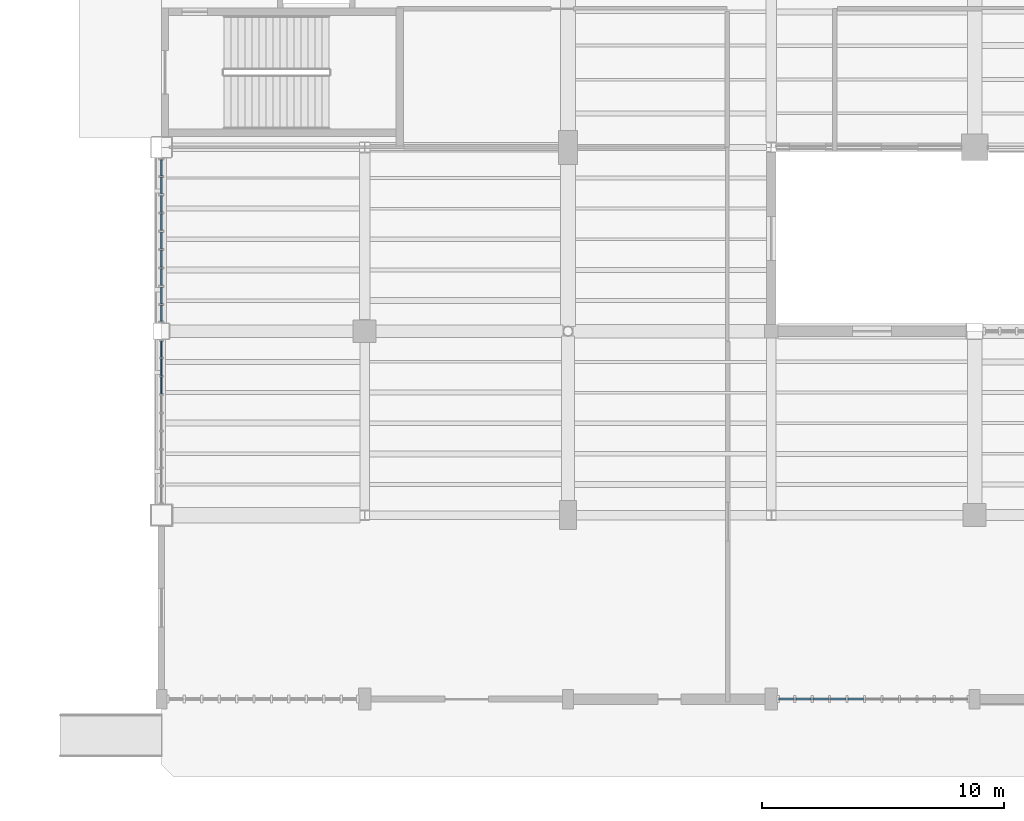
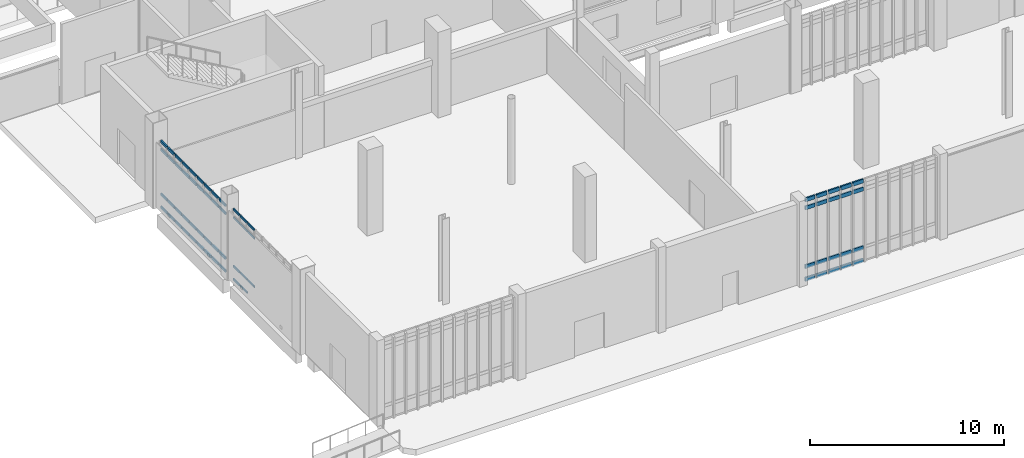
# One storey, part 36 of 111: 67 members, 3 elements without a shape of their own.
"""IFC4 building model written with IfcOpenShell, lengths in metres."""

from ifc_helpers import new_model, si_unit, direction, frame, origin, origin_2d, place, context, subcontext, project, spatial, rectangle, extrude, material, material_profile, profile_set, type_object, element, aggregate, save


model = new_model("IFC4")

# Units and contexts
model_context = context("Model", 3, precision=1e-05, world=origin(), true_north=direction((0.0, 1.0)))
body_context = subcontext(model_context, "Body", "Model", "MODEL_VIEW")
ifc_project = project(units=[si_unit("LENGTHUNIT", "METRE"), si_unit("AREAUNIT", "SQUARE_METRE"), si_unit("VOLUMEUNIT", "CUBIC_METRE"), si_unit("PLANEANGLEUNIT", "RADIAN"), si_unit("MASSUNIT", "GRAM", prefix="KILO")], contexts=[model_context])

# Site, building, storey
site_placement = place(None, origin())
site = spatial("IfcSite", under=ifc_project, at=site_placement, CompositionType="ELEMENT")
building_placement = place(site_placement, origin())
building = spatial("IfcBuilding", under=site, at=building_placement, Name="Larkvane Passage Sports Hall", CompositionType="ELEMENT")
storey_placement = place(building_placement, origin())
storey = spatial("IfcBuildingStorey", under=building, at=storey_placement, Name="L00", CompositionType="ELEMENT", Elevation=0.0)

# Curtain wall, members
ifc_material_1 = material(Name="Thermally broken aluminium and low-E glazing", Category="aluminium")
curtain_wall_type_1 = type_object("IfcCurtainWallType", Name="CW-UNIT-COURT", PredefinedType="USERDEFINED", material=ifc_material_1)
curtain_wall_1_placement = place(storey_placement, origin())
curtain_wall_1 = element("IfcCurtainWall", 1, at=curtain_wall_1_placement, inside=storey, type_object=curtain_wall_type_1, Name="Curtain wall CW5-L00-004", ObjectType="UNITISED CURTAIN WALL", PredefinedType="USERDEFINED")
ifc_material_2 = material(Name="Anodised aluminium 6063-T6", Category="aluminium")
ifc_material_profile_1 = material_profile(ifc_material_2, rectangle(XDim=0.06005859375, YDim=0.1201171875, at=origin_2d()), Name="ALU-TRN-60x120")
ifc_profile_set_1 = profile_set([ifc_material_profile_1], Name="Anodised aluminium 6063-T6")
member_type_1 = type_object("IfcMemberType", Name="CW-TRN-60x120", PredefinedType="USERDEFINED", material=ifc_profile_set_1)
member_1_placement = place(storey_placement, frame((34.800048828125, 12.61474609375, 0.85009765625), z_axis=(0.0, 1.0, 0.0), x_axis=(-1.0, 0.0, 0.0)))
member_1 = element("IfcMember", 2, at=member_1_placement, type_object=member_type_1, Name="CW-01 transom 7.2", ObjectType="TRANSOM", PredefinedType="USERDEFINED", context=body_context, shape_type="SweptSolid", body=[
    extrude(rectangle(XDim=0.06005859375, YDim=0.1201171875, at=origin_2d()), origin(), (0.0, 0.0, 1.0), 0.6962890625),
])
member_2_placement = place(storey_placement, frame((34.800048828125, 12.61474609375, 3.91796875), z_axis=(0.0, 1.0, 0.0), x_axis=(-1.0, 0.0, 0.0)))
member_2 = element("IfcMember", 3, at=member_2_placement, type_object=member_type_1, Name="CW-01 transom 7.3", ObjectType="TRANSOM", PredefinedType="USERDEFINED", context=body_context, shape_type="SweptSolid", body=[
    extrude(rectangle(XDim=0.06005859375, YDim=0.1201171875, at=origin_2d()), origin(), (0.0, 0.0, 1.0), 0.6962890625),
])
member_3_placement = place(storey_placement, frame((34.800048828125, 12.61474609375, 4.43798828125), z_axis=(0.0, 1.0, 0.0), x_axis=(-1.0, 0.0, 0.0)))
member_3 = element("IfcMember", 4, at=member_3_placement, type_object=member_type_1, Name="CW-01 transom 7.4", ObjectType="TRANSOM", PredefinedType="USERDEFINED", context=body_context, shape_type="SweptSolid", body=[
    extrude(rectangle(XDim=0.06005859375, YDim=0.1201171875, at=origin_2d()), origin(), (0.0, 0.0, 1.0), 0.6962890625),
])
member_4_placement = place(storey_placement, frame((34.800048828125, 13.37109375, 0.030029296875), z_axis=(0.0, 1.0, 0.0), x_axis=(-1.0, 0.0, 0.0)))
member_4 = element("IfcMember", 5, at=member_4_placement, type_object=member_type_1, Name="CW-01 transom 8.1", ObjectType="TRANSOM", PredefinedType="USERDEFINED", context=body_context, shape_type="SweptSolid", body=[
    extrude(rectangle(XDim=0.06005859375, YDim=0.1201171875, at=origin_2d()), origin(), (0.0, 0.0, 1.0), 0.696533203125),
])
member_5_placement = place(storey_placement, frame((34.800048828125, 13.37109375, 0.85009765625), z_axis=(0.0, 1.0, 0.0), x_axis=(-1.0, 0.0, 0.0)))
member_5 = element("IfcMember", 6, at=member_5_placement, type_object=member_type_1, Name="CW-01 transom 8.2", ObjectType="TRANSOM", PredefinedType="USERDEFINED", context=body_context, shape_type="SweptSolid", body=[
    extrude(rectangle(XDim=0.06005859375, YDim=0.1201171875, at=origin_2d()), origin(), (0.0, 0.0, 1.0), 0.696533203125),
])
member_6_placement = place(storey_placement, frame((34.800048828125, 13.37109375, 3.91796875), z_axis=(0.0, 1.0, 0.0), x_axis=(-1.0, 0.0, 0.0)))
member_6 = element("IfcMember", 7, at=member_6_placement, type_object=member_type_1, Name="CW-01 transom 8.3", ObjectType="TRANSOM", PredefinedType="USERDEFINED", context=body_context, shape_type="SweptSolid", body=[
    extrude(rectangle(XDim=0.06005859375, YDim=0.1201171875, at=origin_2d()), origin(), (0.0, 0.0, 1.0), 0.696533203125),
])
member_7_placement = place(storey_placement, frame((34.800048828125, 13.37109375, 4.43798828125), z_axis=(0.0, 1.0, 0.0), x_axis=(-1.0, 0.0, 0.0)))
member_7 = element("IfcMember", 8, at=member_7_placement, type_object=member_type_1, Name="CW-01 transom 8.4", ObjectType="TRANSOM", PredefinedType="USERDEFINED", context=body_context, shape_type="SweptSolid", body=[
    extrude(rectangle(XDim=0.06005859375, YDim=0.1201171875, at=origin_2d()), origin(), (0.0, 0.0, 1.0), 0.696533203125),
])
member_8_placement = place(storey_placement, frame((34.800048828125, 14.12744140625, 0.030029296875), z_axis=(0.0, 1.0, 0.0), x_axis=(-1.0, 0.0, 0.0)))
member_8 = element("IfcMember", 9, at=member_8_placement, type_object=member_type_1, Name="CW-01 transom 9.1", ObjectType="TRANSOM", PredefinedType="USERDEFINED", context=body_context, shape_type="SweptSolid", body=[
    extrude(rectangle(XDim=0.06005859375, YDim=0.1201171875, at=origin_2d()), origin(), (0.0, 0.0, 1.0), 0.66650390625),
])
member_9_placement = place(storey_placement, frame((34.800048828125, 14.12744140625, 0.85009765625), z_axis=(0.0, 1.0, 0.0), x_axis=(-1.0, 0.0, 0.0)))
member_9 = element("IfcMember", 10, at=member_9_placement, type_object=member_type_1, Name="CW-01 transom 9.2", ObjectType="TRANSOM", PredefinedType="USERDEFINED", context=body_context, shape_type="SweptSolid", body=[
    extrude(rectangle(XDim=0.06005859375, YDim=0.1201171875, at=origin_2d()), origin(), (0.0, 0.0, 1.0), 0.66650390625),
])
member_10_placement = place(storey_placement, frame((34.800048828125, 14.12744140625, 3.91796875), z_axis=(0.0, 1.0, 0.0), x_axis=(-1.0, 0.0, 0.0)))
member_10 = element("IfcMember", 11, at=member_10_placement, type_object=member_type_1, Name="CW-01 transom 9.3", ObjectType="TRANSOM", PredefinedType="USERDEFINED", context=body_context, shape_type="SweptSolid", body=[
    extrude(rectangle(XDim=0.06005859375, YDim=0.1201171875, at=origin_2d()), origin(), (0.0, 0.0, 1.0), 0.66650390625),
])
member_11_placement = place(storey_placement, frame((34.800048828125, 14.12744140625, 4.43798828125), z_axis=(0.0, 1.0, 0.0), x_axis=(-1.0, 0.0, 0.0)))
member_11 = element("IfcMember", 12, at=member_11_placement, type_object=member_type_1, Name="CW-01 transom 9.4", ObjectType="TRANSOM", PredefinedType="USERDEFINED", context=body_context, shape_type="SweptSolid", body=[
    extrude(rectangle(XDim=0.06005859375, YDim=0.1201171875, at=origin_2d()), origin(), (0.0, 0.0, 1.0), 0.66650390625),
])
aggregate(curtain_wall_1, [member_1, member_2, member_3, member_4, member_5, member_6, member_7, member_8, member_9, member_10, member_11])

curtain_wall_type_2 = type_object("IfcCurtainWallType", Name="CW-UNIT-VEIL", PredefinedType="USERDEFINED", material=ifc_material_1)
curtain_wall_2_placement = place(storey_placement, origin())
curtain_wall_2 = element("IfcCurtainWall", 13, at=curtain_wall_2_placement, inside=storey, type_object=curtain_wall_type_2, Name="Curtain wall CW5-L00-005", ObjectType="UNITISED CURTAIN WALL", PredefinedType="USERDEFINED")
ifc_material_profile_2 = material_profile(ifc_material_2, rectangle(XDim=0.070068359375, YDim=0.159912109375, at=origin_2d()), Name="ALU-TRN-70x160")
ifc_profile_set_2 = profile_set([ifc_material_profile_2], Name="Anodised aluminium 6063-T6")
member_type_2 = type_object("IfcMemberType", Name="CW-TRN-70x160", PredefinedType="USERDEFINED", material=ifc_profile_set_2)
member_12_placement = place(storey_placement, frame((34.800048828125, 15.615966796875, 0.034912109375), z_axis=(0.0, 1.0, 0.0), x_axis=(-1.0, 0.0, 0.0)))
member_12 = element("IfcMember", 14, at=member_12_placement, type_object=member_type_2, Name="CW-02 transom 1.1", ObjectType="TRANSOM", PredefinedType="USERDEFINED", context=body_context, shape_type="SweptSolid", body=[
    extrude(rectangle(XDim=0.070068359375, YDim=0.159912109375, at=origin_2d()), origin(), (0.0, 0.0, 1.0), 0.6513671875),
])
member_13_placement = place(storey_placement, frame((34.800048828125, 15.615966796875, 0.85009765625), z_axis=(0.0, 1.0, 0.0), x_axis=(-1.0, 0.0, 0.0)))
member_13 = element("IfcMember", 15, at=member_13_placement, type_object=member_type_2, Name="CW-02 transom 1.2", ObjectType="TRANSOM", PredefinedType="USERDEFINED", context=body_context, shape_type="SweptSolid", body=[
    extrude(rectangle(XDim=0.070068359375, YDim=0.159912109375, at=origin_2d()), origin(), (0.0, 0.0, 1.0), 0.6513671875),
])
member_14_placement = place(storey_placement, frame((34.800048828125, 15.615966796875, 3.66796875), z_axis=(0.0, 1.0, 0.0), x_axis=(-1.0, 0.0, 0.0)))
member_14 = element("IfcMember", 16, at=member_14_placement, type_object=member_type_2, Name="CW-02 transom 1.3", ObjectType="TRANSOM", PredefinedType="USERDEFINED", context=body_context, shape_type="SweptSolid", body=[
    extrude(rectangle(XDim=0.070068359375, YDim=0.159912109375, at=origin_2d()), origin(), (0.0, 0.0, 1.0), 0.6513671875),
])
member_15_placement = place(storey_placement, frame((34.800048828125, 15.615966796875, 4.18310546875), z_axis=(0.0, 1.0, 0.0), x_axis=(-1.0, 0.0, 0.0)))
member_15 = element("IfcMember", 17, at=member_15_placement, type_object=member_type_2, Name="CW-02 transom 1.4", ObjectType="TRANSOM", PredefinedType="USERDEFINED", context=body_context, shape_type="SweptSolid", body=[
    extrude(rectangle(XDim=0.070068359375, YDim=0.159912109375, at=origin_2d()), origin(), (0.0, 0.0, 1.0), 0.6513671875),
])
member_16_placement = place(storey_placement, frame((34.800048828125, 16.33740234375, 0.034912109375), z_axis=(0.0, 1.0, 0.0), x_axis=(-1.0, 0.0, 0.0)))
member_16 = element("IfcMember", 18, at=member_16_placement, type_object=member_type_2, Name="CW-02 transom 2.1", ObjectType="TRANSOM", PredefinedType="USERDEFINED", context=body_context, shape_type="SweptSolid", body=[
    extrude(rectangle(XDim=0.070068359375, YDim=0.159912109375, at=origin_2d()), origin(), (0.0, 0.0, 1.0), 0.6865234375),
])
member_17_placement = place(storey_placement, frame((34.800048828125, 16.33740234375, 0.85009765625), z_axis=(0.0, 1.0, 0.0), x_axis=(-1.0, 0.0, 0.0)))
member_17 = element("IfcMember", 19, at=member_17_placement, type_object=member_type_2, Name="CW-02 transom 2.2", ObjectType="TRANSOM", PredefinedType="USERDEFINED", context=body_context, shape_type="SweptSolid", body=[
    extrude(rectangle(XDim=0.070068359375, YDim=0.159912109375, at=origin_2d()), origin(), (0.0, 0.0, 1.0), 0.6865234375),
])
member_18_placement = place(storey_placement, frame((34.800048828125, 16.33740234375, 3.66796875), z_axis=(0.0, 1.0, 0.0), x_axis=(-1.0, 0.0, 0.0)))
member_18 = element("IfcMember", 20, at=member_18_placement, type_object=member_type_2, Name="CW-02 transom 2.3", ObjectType="TRANSOM", PredefinedType="USERDEFINED", context=body_context, shape_type="SweptSolid", body=[
    extrude(rectangle(XDim=0.070068359375, YDim=0.159912109375, at=origin_2d()), origin(), (0.0, 0.0, 1.0), 0.6865234375),
])
member_19_placement = place(storey_placement, frame((34.800048828125, 16.33740234375, 4.18310546875), z_axis=(0.0, 1.0, 0.0), x_axis=(-1.0, 0.0, 0.0)))
member_19 = element("IfcMember", 21, at=member_19_placement, type_object=member_type_2, Name="CW-02 transom 2.4", ObjectType="TRANSOM", PredefinedType="USERDEFINED", context=body_context, shape_type="SweptSolid", body=[
    extrude(rectangle(XDim=0.070068359375, YDim=0.159912109375, at=origin_2d()), origin(), (0.0, 0.0, 1.0), 0.6865234375),
])
member_20_placement = place(storey_placement, frame((34.800048828125, 17.093994140625, 0.034912109375), z_axis=(0.0, 1.0, 0.0), x_axis=(-1.0, 0.0, 0.0)))
member_20 = element("IfcMember", 22, at=member_20_placement, type_object=member_type_2, Name="CW-02 transom 3.1", ObjectType="TRANSOM", PredefinedType="USERDEFINED", context=body_context, shape_type="SweptSolid", body=[
    extrude(rectangle(XDim=0.070068359375, YDim=0.159912109375, at=origin_2d()), origin(), (0.0, 0.0, 1.0), 0.686279296875),
])
member_21_placement = place(storey_placement, frame((34.800048828125, 17.093994140625, 0.85009765625), z_axis=(0.0, 1.0, 0.0), x_axis=(-1.0, 0.0, 0.0)))
member_21 = element("IfcMember", 23, at=member_21_placement, type_object=member_type_2, Name="CW-02 transom 3.2", ObjectType="TRANSOM", PredefinedType="USERDEFINED", context=body_context, shape_type="SweptSolid", body=[
    extrude(rectangle(XDim=0.070068359375, YDim=0.159912109375, at=origin_2d()), origin(), (0.0, 0.0, 1.0), 0.686279296875),
])
member_22_placement = place(storey_placement, frame((34.800048828125, 17.093994140625, 3.66796875), z_axis=(0.0, 1.0, 0.0), x_axis=(-1.0, 0.0, 0.0)))
member_22 = element("IfcMember", 24, at=member_22_placement, type_object=member_type_2, Name="CW-02 transom 3.3", ObjectType="TRANSOM", PredefinedType="USERDEFINED", context=body_context, shape_type="SweptSolid", body=[
    extrude(rectangle(XDim=0.070068359375, YDim=0.159912109375, at=origin_2d()), origin(), (0.0, 0.0, 1.0), 0.686279296875),
])
member_23_placement = place(storey_placement, frame((34.800048828125, 17.093994140625, 4.18310546875), z_axis=(0.0, 1.0, 0.0), x_axis=(-1.0, 0.0, 0.0)))
member_23 = element("IfcMember", 25, at=member_23_placement, type_object=member_type_2, Name="CW-02 transom 3.4", ObjectType="TRANSOM", PredefinedType="USERDEFINED", context=body_context, shape_type="SweptSolid", body=[
    extrude(rectangle(XDim=0.070068359375, YDim=0.159912109375, at=origin_2d()), origin(), (0.0, 0.0, 1.0), 0.686279296875),
])
member_24_placement = place(storey_placement, frame((34.800048828125, 17.850341796875, 0.034912109375), z_axis=(0.0, 1.0, 0.0), x_axis=(-1.0, 0.0, 0.0)))
member_24 = element("IfcMember", 26, at=member_24_placement, type_object=member_type_2, Name="CW-02 transom 4.1", ObjectType="TRANSOM", PredefinedType="USERDEFINED", context=body_context, shape_type="SweptSolid", body=[
    extrude(rectangle(XDim=0.070068359375, YDim=0.159912109375, at=origin_2d()), origin(), (0.0, 0.0, 1.0), 0.6865234375),
])
member_25_placement = place(storey_placement, frame((34.800048828125, 17.850341796875, 0.85009765625), z_axis=(0.0, 1.0, 0.0), x_axis=(-1.0, 0.0, 0.0)))
member_25 = element("IfcMember", 27, at=member_25_placement, type_object=member_type_2, Name="CW-02 transom 4.2", ObjectType="TRANSOM", PredefinedType="USERDEFINED", context=body_context, shape_type="SweptSolid", body=[
    extrude(rectangle(XDim=0.070068359375, YDim=0.159912109375, at=origin_2d()), origin(), (0.0, 0.0, 1.0), 0.6865234375),
])
member_26_placement = place(storey_placement, frame((34.800048828125, 17.850341796875, 3.66796875), z_axis=(0.0, 1.0, 0.0), x_axis=(-1.0, 0.0, 0.0)))
member_26 = element("IfcMember", 28, at=member_26_placement, type_object=member_type_2, Name="CW-02 transom 4.3", ObjectType="TRANSOM", PredefinedType="USERDEFINED", context=body_context, shape_type="SweptSolid", body=[
    extrude(rectangle(XDim=0.070068359375, YDim=0.159912109375, at=origin_2d()), origin(), (0.0, 0.0, 1.0), 0.6865234375),
])
member_27_placement = place(storey_placement, frame((34.800048828125, 17.850341796875, 4.18310546875), z_axis=(0.0, 1.0, 0.0), x_axis=(-1.0, 0.0, 0.0)))
member_27 = element("IfcMember", 29, at=member_27_placement, type_object=member_type_2, Name="CW-02 transom 4.4", ObjectType="TRANSOM", PredefinedType="USERDEFINED", context=body_context, shape_type="SweptSolid", body=[
    extrude(rectangle(XDim=0.070068359375, YDim=0.159912109375, at=origin_2d()), origin(), (0.0, 0.0, 1.0), 0.6865234375),
])
member_28_placement = place(storey_placement, frame((34.800048828125, 18.606689453125, 0.034912109375), z_axis=(0.0, 1.0, 0.0), x_axis=(-1.0, 0.0, 0.0)))
member_28 = element("IfcMember", 30, at=member_28_placement, type_object=member_type_2, Name="CW-02 transom 5.1", ObjectType="TRANSOM", PredefinedType="USERDEFINED", context=body_context, shape_type="SweptSolid", body=[
    extrude(rectangle(XDim=0.070068359375, YDim=0.159912109375, at=origin_2d()), origin(), (0.0, 0.0, 1.0), 0.6865234375),
])
member_29_placement = place(storey_placement, frame((34.800048828125, 18.606689453125, 0.85009765625), z_axis=(0.0, 1.0, 0.0), x_axis=(-1.0, 0.0, 0.0)))
member_29 = element("IfcMember", 31, at=member_29_placement, type_object=member_type_2, Name="CW-02 transom 5.2", ObjectType="TRANSOM", PredefinedType="USERDEFINED", context=body_context, shape_type="SweptSolid", body=[
    extrude(rectangle(XDim=0.070068359375, YDim=0.159912109375, at=origin_2d()), origin(), (0.0, 0.0, 1.0), 0.6865234375),
])
member_30_placement = place(storey_placement, frame((34.800048828125, 18.606689453125, 3.66796875), z_axis=(0.0, 1.0, 0.0), x_axis=(-1.0, 0.0, 0.0)))
member_30 = element("IfcMember", 32, at=member_30_placement, type_object=member_type_2, Name="CW-02 transom 5.3", ObjectType="TRANSOM", PredefinedType="USERDEFINED", context=body_context, shape_type="SweptSolid", body=[
    extrude(rectangle(XDim=0.070068359375, YDim=0.159912109375, at=origin_2d()), origin(), (0.0, 0.0, 1.0), 0.6865234375),
])
member_31_placement = place(storey_placement, frame((34.800048828125, 18.606689453125, 4.18310546875), z_axis=(0.0, 1.0, 0.0), x_axis=(-1.0, 0.0, 0.0)))
member_31 = element("IfcMember", 33, at=member_31_placement, type_object=member_type_2, Name="CW-02 transom 5.4", ObjectType="TRANSOM", PredefinedType="USERDEFINED", context=body_context, shape_type="SweptSolid", body=[
    extrude(rectangle(XDim=0.070068359375, YDim=0.159912109375, at=origin_2d()), origin(), (0.0, 0.0, 1.0), 0.6865234375),
])
member_32_placement = place(storey_placement, frame((34.800048828125, 19.36328125, 0.034912109375), z_axis=(0.0, 1.0, 0.0), x_axis=(-1.0, 0.0, 0.0)))
member_32 = element("IfcMember", 34, at=member_32_placement, type_object=member_type_2, Name="CW-02 transom 6.1", ObjectType="TRANSOM", PredefinedType="USERDEFINED", context=body_context, shape_type="SweptSolid", body=[
    extrude(rectangle(XDim=0.070068359375, YDim=0.159912109375, at=origin_2d()), origin(), (0.0, 0.0, 1.0), 0.686279296875),
])
member_33_placement = place(storey_placement, frame((34.800048828125, 19.36328125, 0.85009765625), z_axis=(0.0, 1.0, 0.0), x_axis=(-1.0, 0.0, 0.0)))
member_33 = element("IfcMember", 35, at=member_33_placement, type_object=member_type_2, Name="CW-02 transom 6.2", ObjectType="TRANSOM", PredefinedType="USERDEFINED", context=body_context, shape_type="SweptSolid", body=[
    extrude(rectangle(XDim=0.070068359375, YDim=0.159912109375, at=origin_2d()), origin(), (0.0, 0.0, 1.0), 0.686279296875),
])
member_34_placement = place(storey_placement, frame((34.800048828125, 19.36328125, 3.66796875), z_axis=(0.0, 1.0, 0.0), x_axis=(-1.0, 0.0, 0.0)))
member_34 = element("IfcMember", 36, at=member_34_placement, type_object=member_type_2, Name="CW-02 transom 6.3", ObjectType="TRANSOM", PredefinedType="USERDEFINED", context=body_context, shape_type="SweptSolid", body=[
    extrude(rectangle(XDim=0.070068359375, YDim=0.159912109375, at=origin_2d()), origin(), (0.0, 0.0, 1.0), 0.686279296875),
])
member_35_placement = place(storey_placement, frame((34.800048828125, 19.36328125, 4.18310546875), z_axis=(0.0, 1.0, 0.0), x_axis=(-1.0, 0.0, 0.0)))
member_35 = element("IfcMember", 37, at=member_35_placement, type_object=member_type_2, Name="CW-02 transom 6.4", ObjectType="TRANSOM", PredefinedType="USERDEFINED", context=body_context, shape_type="SweptSolid", body=[
    extrude(rectangle(XDim=0.070068359375, YDim=0.159912109375, at=origin_2d()), origin(), (0.0, 0.0, 1.0), 0.686279296875),
])
member_36_placement = place(storey_placement, frame((34.800048828125, 20.11962890625, 0.034912109375), z_axis=(0.0, 1.0, 0.0), x_axis=(-1.0, 0.0, 0.0)))
member_36 = element("IfcMember", 38, at=member_36_placement, type_object=member_type_2, Name="CW-02 transom 7.1", ObjectType="TRANSOM", PredefinedType="USERDEFINED", context=body_context, shape_type="SweptSolid", body=[
    extrude(rectangle(XDim=0.070068359375, YDim=0.159912109375, at=origin_2d()), origin(), (0.0, 0.0, 1.0), 0.6865234375),
])
member_37_placement = place(storey_placement, frame((34.800048828125, 20.11962890625, 0.85009765625), z_axis=(0.0, 1.0, 0.0), x_axis=(-1.0, 0.0, 0.0)))
member_37 = element("IfcMember", 39, at=member_37_placement, type_object=member_type_2, Name="CW-02 transom 7.2", ObjectType="TRANSOM", PredefinedType="USERDEFINED", context=body_context, shape_type="SweptSolid", body=[
    extrude(rectangle(XDim=0.070068359375, YDim=0.159912109375, at=origin_2d()), origin(), (0.0, 0.0, 1.0), 0.6865234375),
])
member_38_placement = place(storey_placement, frame((34.800048828125, 20.11962890625, 3.66796875), z_axis=(0.0, 1.0, 0.0), x_axis=(-1.0, 0.0, 0.0)))
member_38 = element("IfcMember", 40, at=member_38_placement, type_object=member_type_2, Name="CW-02 transom 7.3", ObjectType="TRANSOM", PredefinedType="USERDEFINED", context=body_context, shape_type="SweptSolid", body=[
    extrude(rectangle(XDim=0.070068359375, YDim=0.159912109375, at=origin_2d()), origin(), (0.0, 0.0, 1.0), 0.6865234375),
])
member_39_placement = place(storey_placement, frame((34.800048828125, 20.11962890625, 4.18310546875), z_axis=(0.0, 1.0, 0.0), x_axis=(-1.0, 0.0, 0.0)))
member_39 = element("IfcMember", 41, at=member_39_placement, type_object=member_type_2, Name="CW-02 transom 7.4", ObjectType="TRANSOM", PredefinedType="USERDEFINED", context=body_context, shape_type="SweptSolid", body=[
    extrude(rectangle(XDim=0.070068359375, YDim=0.159912109375, at=origin_2d()), origin(), (0.0, 0.0, 1.0), 0.6865234375),
])
member_40_placement = place(storey_placement, frame((34.800048828125, 20.876220703125, 0.034912109375), z_axis=(0.0, 1.0, 0.0), x_axis=(-1.0, 0.0, 0.0)))
member_40 = element("IfcMember", 42, at=member_40_placement, type_object=member_type_2, Name="CW-02 transom 8.1", ObjectType="TRANSOM", PredefinedType="USERDEFINED", context=body_context, shape_type="SweptSolid", body=[
    extrude(rectangle(XDim=0.070068359375, YDim=0.159912109375, at=origin_2d()), origin(), (0.0, 0.0, 1.0), 0.686279296875),
])
member_41_placement = place(storey_placement, frame((34.800048828125, 20.876220703125, 0.85009765625), z_axis=(0.0, 1.0, 0.0), x_axis=(-1.0, 0.0, 0.0)))
member_41 = element("IfcMember", 43, at=member_41_placement, type_object=member_type_2, Name="CW-02 transom 8.2", ObjectType="TRANSOM", PredefinedType="USERDEFINED", context=body_context, shape_type="SweptSolid", body=[
    extrude(rectangle(XDim=0.070068359375, YDim=0.159912109375, at=origin_2d()), origin(), (0.0, 0.0, 1.0), 0.686279296875),
])
member_42_placement = place(storey_placement, frame((34.800048828125, 20.876220703125, 3.66796875), z_axis=(0.0, 1.0, 0.0), x_axis=(-1.0, 0.0, 0.0)))
member_42 = element("IfcMember", 44, at=member_42_placement, type_object=member_type_2, Name="CW-02 transom 8.3", ObjectType="TRANSOM", PredefinedType="USERDEFINED", context=body_context, shape_type="SweptSolid", body=[
    extrude(rectangle(XDim=0.070068359375, YDim=0.159912109375, at=origin_2d()), origin(), (0.0, 0.0, 1.0), 0.686279296875),
])
member_43_placement = place(storey_placement, frame((34.800048828125, 20.876220703125, 4.18310546875), z_axis=(0.0, 1.0, 0.0), x_axis=(-1.0, 0.0, 0.0)))
member_43 = element("IfcMember", 45, at=member_43_placement, type_object=member_type_2, Name="CW-02 transom 8.4", ObjectType="TRANSOM", PredefinedType="USERDEFINED", context=body_context, shape_type="SweptSolid", body=[
    extrude(rectangle(XDim=0.070068359375, YDim=0.159912109375, at=origin_2d()), origin(), (0.0, 0.0, 1.0), 0.686279296875),
])
member_44_placement = place(storey_placement, frame((34.800048828125, 21.632568359375, 0.034912109375), z_axis=(0.0, 1.0, 0.0), x_axis=(-1.0, 0.0, 0.0)))
member_44 = element("IfcMember", 46, at=member_44_placement, type_object=member_type_2, Name="CW-02 transom 9.1", ObjectType="TRANSOM", PredefinedType="USERDEFINED", context=body_context, shape_type="SweptSolid", body=[
    extrude(rectangle(XDim=0.070068359375, YDim=0.159912109375, at=origin_2d()), origin(), (0.0, 0.0, 1.0), 0.6513671875),
])
member_45_placement = place(storey_placement, frame((34.800048828125, 21.632568359375, 0.85009765625), z_axis=(0.0, 1.0, 0.0), x_axis=(-1.0, 0.0, 0.0)))
member_45 = element("IfcMember", 47, at=member_45_placement, type_object=member_type_2, Name="CW-02 transom 9.2", ObjectType="TRANSOM", PredefinedType="USERDEFINED", context=body_context, shape_type="SweptSolid", body=[
    extrude(rectangle(XDim=0.070068359375, YDim=0.159912109375, at=origin_2d()), origin(), (0.0, 0.0, 1.0), 0.6513671875),
])
member_46_placement = place(storey_placement, frame((34.800048828125, 21.632568359375, 3.66796875), z_axis=(0.0, 1.0, 0.0), x_axis=(-1.0, 0.0, 0.0)))
member_46 = element("IfcMember", 48, at=member_46_placement, type_object=member_type_2, Name="CW-02 transom 9.3", ObjectType="TRANSOM", PredefinedType="USERDEFINED", context=body_context, shape_type="SweptSolid", body=[
    extrude(rectangle(XDim=0.070068359375, YDim=0.159912109375, at=origin_2d()), origin(), (0.0, 0.0, 1.0), 0.6513671875),
])
member_47_placement = place(storey_placement, frame((34.800048828125, 21.632568359375, 4.18310546875), z_axis=(0.0, 1.0, 0.0), x_axis=(-1.0, 0.0, 0.0)))
member_47 = element("IfcMember", 49, at=member_47_placement, type_object=member_type_2, Name="CW-02 transom 9.4", ObjectType="TRANSOM", PredefinedType="USERDEFINED", context=body_context, shape_type="SweptSolid", body=[
    extrude(rectangle(XDim=0.070068359375, YDim=0.159912109375, at=origin_2d()), origin(), (0.0, 0.0, 1.0), 0.6513671875),
])
aggregate(curtain_wall_2, [member_12, member_13, member_14, member_15, member_16, member_17, member_18, member_19, member_20, member_21, member_22, member_23, member_24, member_25, member_26, member_27, member_28, member_29, member_30, member_31, member_32, member_33, member_34, member_35, member_36, member_37, member_38, member_39, member_40, member_41, member_42, member_43, member_44, member_45, member_46, member_47])

curtain_wall_type_3 = type_object("IfcCurtainWallType", Name="CW-STICK-FOYER", PredefinedType="USERDEFINED", material=ifc_material_1)
curtain_wall_3_placement = place(storey_placement, origin())
curtain_wall_3 = element("IfcCurtainWall", 50, at=curtain_wall_3_placement, inside=storey, type_object=curtain_wall_type_3, Name="Curtain wall CW5-L00-002", ObjectType="STICK CURTAIN WALL", PredefinedType="USERDEFINED")
ifc_material_profile_3 = material_profile(ifc_material_2, rectangle(XDim=0.090087890625, YDim=0.235107421875, at=origin_2d()), Name="ALU-TRN-90x235")
ifc_profile_set_3 = profile_set([ifc_material_profile_3], Name="Anodised aluminium 6063-T6")
member_type_3 = type_object("IfcMemberType", Name="CW-TRN-90x235", PredefinedType="USERDEFINED", material=ifc_profile_set_3)
member_48_placement = place(storey_placement, frame((63.806884765625, 0.0, 0.044921875), z_axis=(-1.0, 0.0, 0.0), x_axis=(0.0, -1.0, 0.0)))
member_48 = element("IfcMember", 51, at=member_48_placement, type_object=member_type_3, Name="CW-03 transom 7.1", ObjectType="TRANSOM", PredefinedType="USERDEFINED", context=body_context, shape_type="SweptSolid", body=[
    extrude(rectangle(XDim=0.090087890625, YDim=0.235107421875, at=origin_2d()), origin(), (0.0, 0.0, 1.0), 0.631103515625),
])
member_49_placement = place(storey_placement, frame((63.806884765625, 0.0, 0.85009765625), z_axis=(-1.0, 0.0, 0.0), x_axis=(0.0, -1.0, 0.0)))
member_49 = element("IfcMember", 52, at=member_49_placement, type_object=member_type_3, Name="CW-03 transom 7.2", ObjectType="TRANSOM", PredefinedType="USERDEFINED", context=body_context, shape_type="SweptSolid", body=[
    extrude(rectangle(XDim=0.090087890625, YDim=0.235107421875, at=origin_2d()), origin(), (0.0, 0.0, 1.0), 0.631103515625),
])
member_50_placement = place(storey_placement, frame((63.806884765625, 0.0, 4.550048828125), z_axis=(-1.0, 0.0, 0.0), x_axis=(0.0, -1.0, 0.0)))
member_50 = element("IfcMember", 53, at=member_50_placement, type_object=member_type_3, Name="CW-03 transom 7.3", ObjectType="TRANSOM", PredefinedType="USERDEFINED", context=body_context, shape_type="SweptSolid", body=[
    extrude(rectangle(XDim=0.090087890625, YDim=0.235107421875, at=origin_2d()), origin(), (0.0, 0.0, 1.0), 0.631103515625),
])
member_51_placement = place(storey_placement, frame((63.806884765625, 0.0, 5.054931640625), z_axis=(-1.0, 0.0, 0.0), x_axis=(0.0, -1.0, 0.0)))
member_51 = element("IfcMember", 54, at=member_51_placement, type_object=member_type_3, Name="CW-03 transom 7.4", ObjectType="TRANSOM", PredefinedType="USERDEFINED", context=body_context, shape_type="SweptSolid", body=[
    extrude(rectangle(XDim=0.090087890625, YDim=0.235107421875, at=origin_2d()), origin(), (0.0, 0.0, 1.0), 0.631103515625),
])
member_52_placement = place(storey_placement, frame((63.085693359375, 0.0, 0.044921875), z_axis=(-1.0, 0.0, 0.0), x_axis=(0.0, -1.0, 0.0)))
member_52 = element("IfcMember", 55, at=member_52_placement, type_object=member_type_3, Name="CW-03 transom 8.1", ObjectType="TRANSOM", PredefinedType="USERDEFINED", context=body_context, shape_type="SweptSolid", body=[
    extrude(rectangle(XDim=0.090087890625, YDim=0.235107421875, at=origin_2d()), origin(), (0.0, 0.0, 1.0), 0.631103515625),
])
member_53_placement = place(storey_placement, frame((63.085693359375, 0.0, 0.85009765625), z_axis=(-1.0, 0.0, 0.0), x_axis=(0.0, -1.0, 0.0)))
member_53 = element("IfcMember", 56, at=member_53_placement, type_object=member_type_3, Name="CW-03 transom 8.2", ObjectType="TRANSOM", PredefinedType="USERDEFINED", context=body_context, shape_type="SweptSolid", body=[
    extrude(rectangle(XDim=0.090087890625, YDim=0.235107421875, at=origin_2d()), origin(), (0.0, 0.0, 1.0), 0.631103515625),
])
member_54_placement = place(storey_placement, frame((63.085693359375, 0.0, 4.550048828125), z_axis=(-1.0, 0.0, 0.0), x_axis=(0.0, -1.0, 0.0)))
member_54 = element("IfcMember", 57, at=member_54_placement, type_object=member_type_3, Name="CW-03 transom 8.3", ObjectType="TRANSOM", PredefinedType="USERDEFINED", context=body_context, shape_type="SweptSolid", body=[
    extrude(rectangle(XDim=0.090087890625, YDim=0.235107421875, at=origin_2d()), origin(), (0.0, 0.0, 1.0), 0.631103515625),
])
member_55_placement = place(storey_placement, frame((63.085693359375, 0.0, 5.054931640625), z_axis=(-1.0, 0.0, 0.0), x_axis=(0.0, -1.0, 0.0)))
member_55 = element("IfcMember", 58, at=member_55_placement, type_object=member_type_3, Name="CW-03 transom 8.4", ObjectType="TRANSOM", PredefinedType="USERDEFINED", context=body_context, shape_type="SweptSolid", body=[
    extrude(rectangle(XDim=0.090087890625, YDim=0.235107421875, at=origin_2d()), origin(), (0.0, 0.0, 1.0), 0.631103515625),
])
member_56_placement = place(storey_placement, frame((62.364501953125, 0.0, 0.044921875), z_axis=(-1.0, 0.0, 0.0), x_axis=(0.0, -1.0, 0.0)))
member_56 = element("IfcMember", 59, at=member_56_placement, type_object=member_type_3, Name="CW-03 transom 9.1", ObjectType="TRANSOM", PredefinedType="USERDEFINED", context=body_context, shape_type="SweptSolid", body=[
    extrude(rectangle(XDim=0.090087890625, YDim=0.235107421875, at=origin_2d()), origin(), (0.0, 0.0, 1.0), 0.631103515625),
])
member_57_placement = place(storey_placement, frame((62.364501953125, 0.0, 0.85009765625), z_axis=(-1.0, 0.0, 0.0), x_axis=(0.0, -1.0, 0.0)))
member_57 = element("IfcMember", 60, at=member_57_placement, type_object=member_type_3, Name="CW-03 transom 9.2", ObjectType="TRANSOM", PredefinedType="USERDEFINED", context=body_context, shape_type="SweptSolid", body=[
    extrude(rectangle(XDim=0.090087890625, YDim=0.235107421875, at=origin_2d()), origin(), (0.0, 0.0, 1.0), 0.631103515625),
])
member_58_placement = place(storey_placement, frame((62.364501953125, 0.0, 4.550048828125), z_axis=(-1.0, 0.0, 0.0), x_axis=(0.0, -1.0, 0.0)))
member_58 = element("IfcMember", 61, at=member_58_placement, type_object=member_type_3, Name="CW-03 transom 9.3", ObjectType="TRANSOM", PredefinedType="USERDEFINED", context=body_context, shape_type="SweptSolid", body=[
    extrude(rectangle(XDim=0.090087890625, YDim=0.235107421875, at=origin_2d()), origin(), (0.0, 0.0, 1.0), 0.631103515625),
])
member_59_placement = place(storey_placement, frame((62.364501953125, 0.0, 5.054931640625), z_axis=(-1.0, 0.0, 0.0), x_axis=(0.0, -1.0, 0.0)))
member_59 = element("IfcMember", 62, at=member_59_placement, type_object=member_type_3, Name="CW-03 transom 9.4", ObjectType="TRANSOM", PredefinedType="USERDEFINED", context=body_context, shape_type="SweptSolid", body=[
    extrude(rectangle(XDim=0.090087890625, YDim=0.235107421875, at=origin_2d()), origin(), (0.0, 0.0, 1.0), 0.631103515625),
])
member_60_placement = place(storey_placement, frame((61.643310546875, 0.0, 0.044921875), z_axis=(-1.0, 0.0, 0.0), x_axis=(0.0, -1.0, 0.0)))
member_60 = element("IfcMember", 63, at=member_60_placement, type_object=member_type_3, Name="CW-03 transom 10.1", ObjectType="TRANSOM", PredefinedType="USERDEFINED", context=body_context, shape_type="SweptSolid", body=[
    extrude(rectangle(XDim=0.090087890625, YDim=0.235107421875, at=origin_2d()), origin(), (0.0, 0.0, 1.0), 0.631103515625),
])
member_61_placement = place(storey_placement, frame((61.643310546875, 0.0, 0.85009765625), z_axis=(-1.0, 0.0, 0.0), x_axis=(0.0, -1.0, 0.0)))
member_61 = element("IfcMember", 64, at=member_61_placement, type_object=member_type_3, Name="CW-03 transom 10.2", ObjectType="TRANSOM", PredefinedType="USERDEFINED", context=body_context, shape_type="SweptSolid", body=[
    extrude(rectangle(XDim=0.090087890625, YDim=0.235107421875, at=origin_2d()), origin(), (0.0, 0.0, 1.0), 0.631103515625),
])
member_62_placement = place(storey_placement, frame((61.643310546875, 0.0, 4.550048828125), z_axis=(-1.0, 0.0, 0.0), x_axis=(0.0, -1.0, 0.0)))
member_62 = element("IfcMember", 65, at=member_62_placement, type_object=member_type_3, Name="CW-03 transom 10.3", ObjectType="TRANSOM", PredefinedType="USERDEFINED", context=body_context, shape_type="SweptSolid", body=[
    extrude(rectangle(XDim=0.090087890625, YDim=0.235107421875, at=origin_2d()), origin(), (0.0, 0.0, 1.0), 0.631103515625),
])
member_63_placement = place(storey_placement, frame((61.643310546875, 0.0, 5.054931640625), z_axis=(-1.0, 0.0, 0.0), x_axis=(0.0, -1.0, 0.0)))
member_63 = element("IfcMember", 66, at=member_63_placement, type_object=member_type_3, Name="CW-03 transom 10.4", ObjectType="TRANSOM", PredefinedType="USERDEFINED", context=body_context, shape_type="SweptSolid", body=[
    extrude(rectangle(XDim=0.090087890625, YDim=0.235107421875, at=origin_2d()), origin(), (0.0, 0.0, 1.0), 0.631103515625),
])
member_64_placement = place(storey_placement, frame((60.922119140625, 0.0, 0.044921875), z_axis=(-1.0, 0.0, 0.0), x_axis=(0.0, -1.0, 0.0)))
member_64 = element("IfcMember", 67, at=member_64_placement, type_object=member_type_3, Name="CW-03 transom 11.1", ObjectType="TRANSOM", PredefinedType="USERDEFINED", context=body_context, shape_type="SweptSolid", body=[
    extrude(rectangle(XDim=0.090087890625, YDim=0.235107421875, at=origin_2d()), origin(), (0.0, 0.0, 1.0), 0.586181640625),
])
member_65_placement = place(storey_placement, frame((60.922119140625, 0.0, 0.85009765625), z_axis=(-1.0, 0.0, 0.0), x_axis=(0.0, -1.0, 0.0)))
member_65 = element("IfcMember", 68, at=member_65_placement, type_object=member_type_3, Name="CW-03 transom 11.2", ObjectType="TRANSOM", PredefinedType="USERDEFINED", context=body_context, shape_type="SweptSolid", body=[
    extrude(rectangle(XDim=0.090087890625, YDim=0.235107421875, at=origin_2d()), origin(), (0.0, 0.0, 1.0), 0.586181640625),
])
member_66_placement = place(storey_placement, frame((60.922119140625, 0.0, 4.550048828125), z_axis=(-1.0, 0.0, 0.0), x_axis=(0.0, -1.0, 0.0)))
member_66 = element("IfcMember", 69, at=member_66_placement, type_object=member_type_3, Name="CW-03 transom 11.3", ObjectType="TRANSOM", PredefinedType="USERDEFINED", context=body_context, shape_type="SweptSolid", body=[
    extrude(rectangle(XDim=0.090087890625, YDim=0.235107421875, at=origin_2d()), origin(), (0.0, 0.0, 1.0), 0.586181640625),
])
member_67_placement = place(storey_placement, frame((60.922119140625, 0.0, 5.054931640625), z_axis=(-1.0, 0.0, 0.0), x_axis=(0.0, -1.0, 0.0)))
member_67 = element("IfcMember", 70, at=member_67_placement, type_object=member_type_3, Name="CW-03 transom 11.4", ObjectType="TRANSOM", PredefinedType="USERDEFINED", context=body_context, shape_type="SweptSolid", body=[
    extrude(rectangle(XDim=0.090087890625, YDim=0.235107421875, at=origin_2d()), origin(), (0.0, 0.0, 1.0), 0.586181640625),
])
aggregate(curtain_wall_3, [member_48, member_49, member_50, member_51, member_52, member_53, member_54, member_55, member_56, member_57, member_58, member_59, member_60, member_61, member_62, member_63, member_64, member_65, member_66, member_67])

save(model, "model.ifc")
